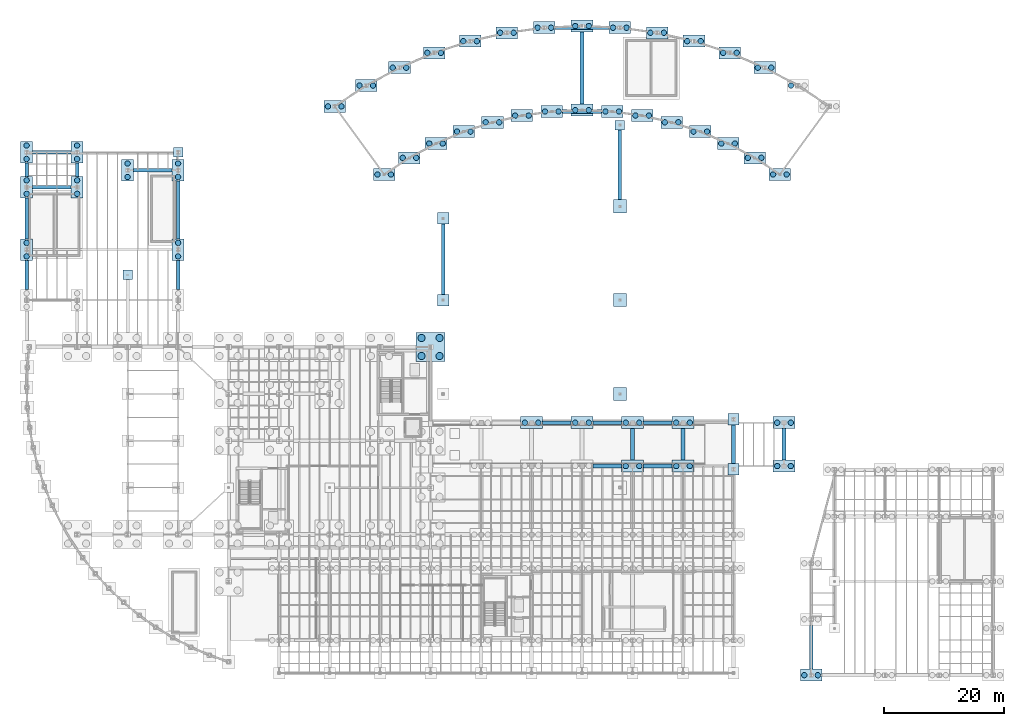
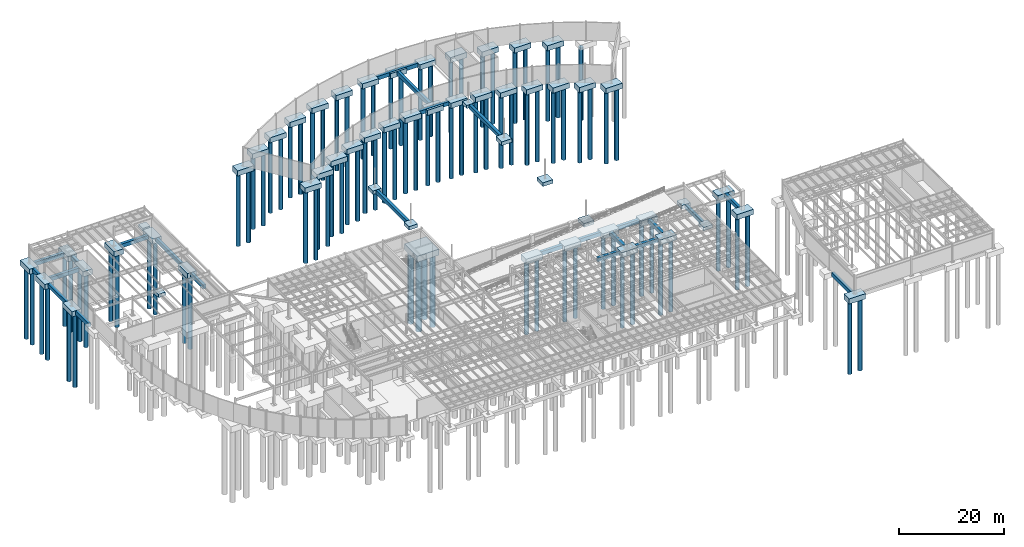
# One storey, part 4 of 41: 95 piles, 80 footings.
"""IFC4 building model written with IfcOpenShell, lengths in metres."""

from ifc_helpers import new_model, si_unit, direction, frame, origin, origin_2d, place, context, subcontext, project, spatial, rectangle, circle, extrude, material, material_profile, profile_set, type_object, element, save


model = new_model("IFC4")

# Units and contexts
model_context = context("Model", 3, precision=1e-05, world=origin(), true_north=direction((0.0, 1.0)))
body_context = subcontext(model_context, "Body", "Model", "MODEL_VIEW")
ifc_project = project(units=[si_unit("LENGTHUNIT", "METRE"), si_unit("AREAUNIT", "SQUARE_METRE"), si_unit("VOLUMEUNIT", "CUBIC_METRE"), si_unit("PLANEANGLEUNIT", "RADIAN"), si_unit("MASSUNIT", "GRAM", prefix="KILO")], contexts=[model_context])

# Site, building, storey
site_placement = place(None, origin())
site = spatial("IfcSite", under=ifc_project, at=site_placement, CompositionType="ELEMENT")
building_placement = place(site_placement, origin())
building = spatial("IfcBuilding", under=site, at=building_placement, Name="Selat Folded Stagehouse", CompositionType="ELEMENT")
storey_placement = place(building_placement, frame((0.0, 0.0, -4.5)))
storey = spatial("IfcBuildingStorey", under=building, at=storey_placement, Name="B1", CompositionType="ELEMENT", Elevation=-4.5)

# Footings
ifc_material = material(Name="Concrete C40/50", Category="concrete")
ifc_material_profile_1 = material_profile(ifc_material, rectangle(XDim=0.60009765625, YDim=0.89990234375, at=origin_2d()), Name="RC 900x600")
ifc_profile_set_1 = profile_set([ifc_material_profile_1], Name="Concrete C40/50")
footing_type_1 = type_object("IfcFootingType", Name="FTG-GB-600x900", PredefinedType="FOOTING_BEAM", material=ifc_profile_set_1)
footing_1_placement = place(storey_placement, frame((94.199951171875, 34.800048828125, -0.449951171875), z_axis=(1.0, 0.0, 0.0), x_axis=(0.0, 1.0, 0.0)))
element("IfcFooting", 1, at=footing_1_placement, inside=storey, type_object=footing_type_1, Name="Ground tie beam GB-X-053", PredefinedType="FOOTING_BEAM", context=body_context, shape_type="SweptSolid", body=[
    extrude(rectangle(XDim=0.60009765625, YDim=0.89990234375, at=origin_2d()), origin(), (0.0, 0.0, 1.0), 4.800048828125),
])
footing_2_placement = place(storey_placement, frame((102.60009765625, 34.800048828125, -0.449951171875), z_axis=(1.0, 0.0, 0.0), x_axis=(0.0, 1.0, 0.0)))
element("IfcFooting", 2, at=footing_2_placement, inside=storey, type_object=footing_type_1, Name="Ground tie beam GB-X-054", PredefinedType="FOOTING_BEAM", context=body_context, shape_type="SweptSolid", body=[
    extrude(rectangle(XDim=0.60009765625, YDim=0.89990234375, at=origin_2d()), origin(), (0.0, 0.0, 1.0), 4.7998046875),
])
for number, where, z_axis, x_axis, name in (
    (3, (85.800048828125, 42.0, -0.449951171875), (1.0, 0.0, 0.0), (0.0, 1.0, 0.0), "Ground tie beam GB-X-059"),
    (4, (94.199951171875, 42.0, -0.449951171875), (1.0, 0.0, 0.0), (0.0, 1.0, 0.0), "Ground tie beam GB-X-060"),
):
    element("IfcFooting", number, at=place(storey_placement, frame(where, z_axis=z_axis, x_axis=x_axis)), inside=storey, type_object=footing_type_1, Name=name, PredefinedType="FOOTING_BEAM", context=body_context, shape_type="SweptSolid", body=[
        extrude(rectangle(XDim=0.60009765625, YDim=0.89990234375, at=origin_2d()), origin(), (0.0, 0.0, 1.0), 4.800048828125),
    ])
footing_3_placement = place(storey_placement, frame((102.60009765625, 42.0, -0.449951171875), z_axis=(1.0, 0.0, 0.0), x_axis=(0.0, 1.0, 0.0)))
element("IfcFooting", 5, at=footing_3_placement, inside=storey, type_object=footing_type_1, Name="Ground tie beam GB-X-061", PredefinedType="FOOTING_BEAM", context=body_context, shape_type="SweptSolid", body=[
    extrude(rectangle(XDim=0.60009765625, YDim=0.89990234375, at=origin_2d()), origin(), (0.0, 0.0, 1.0), 4.7998046875),
])
for number, where, z_axis, x_axis, name in (
    (6, (1.0, 81.199951171875, -0.449951171875), (1.0, 0.0, 0.0), (0.0, 1.0, 0.0), "Ground tie beam GB-X-073"),
    (7, (17.800048828125, 84.0, -0.449951171875), (1.0, 0.0, 0.0), (0.0, 1.0, 0.0), "Ground tie beam GB-X-074"),
    (8, (1.0, 87.0, -0.449951171875), (1.0, 0.0, 0.0), (0.0, 1.0, 0.0), "Ground tie beam GB-X-075"),
):
    element("IfcFooting", number, at=place(storey_placement, frame(where, z_axis=z_axis, x_axis=x_axis)), inside=storey, type_object=footing_type_1, Name=name, PredefinedType="FOOTING_BEAM", context=body_context, shape_type="SweptSolid", body=[
        extrude(rectangle(XDim=0.60009765625, YDim=0.89990234375, at=origin_2d()), origin(), (0.0, 0.0, 1.0), 6.39990234375),
    ])
footing_4_placement = place(storey_placement, frame((89.18017578125, 93.774658203125, -0.449951171875), z_axis=(1.0, 0.0, 0.0), x_axis=(0.0, 1.0, 0.0)))
element("IfcFooting", 9, at=footing_4_placement, inside=storey, type_object=footing_type_1, Name="Ground tie beam GB-X-076", PredefinedType="FOOTING_BEAM", context=body_context, shape_type="SweptSolid", body=[
    extrude(rectangle(XDim=0.60009765625, YDim=0.89990234375, at=origin_2d()), origin(), (0.0, 0.0, 1.0), 6.439697265625),
])
footing_5_placement = place(storey_placement, frame((87.92529296875, 107.71826171875, -0.449951171875), z_axis=(1.0, 0.0, 0.0), x_axis=(0.0, 1.0, 0.0)))
element("IfcFooting", 10, at=footing_5_placement, inside=storey, type_object=footing_type_1, Name="Ground tie beam GB-X-077", PredefinedType="FOOTING_BEAM", context=body_context, shape_type="SweptSolid", body=[
    extrude(rectangle(XDim=0.60009765625, YDim=0.89990234375, at=origin_2d()), origin(), (0.0, 0.0, 1.0), 8.949462890625),
])
footing_6_placement = place(storey_placement, frame((0.0, 64.199951171875, -0.449951171875), z_axis=(0.0, 1.0, 0.0), x_axis=(-1.0, 0.0, 0.0)))
element("IfcFooting", 11, at=footing_6_placement, inside=storey, type_object=footing_type_1, Name="Ground tie beam GB-Y-079", PredefinedType="FOOTING_BEAM", context=body_context, shape_type="SweptSolid", body=[
    extrude(rectangle(XDim=0.60009765625, YDim=0.89990234375, at=origin_2d()), origin(), (0.0, 0.0, 1.0), 4.800048828125),
])
footing_7_placement = place(storey_placement, frame((0.0, 72.60009765625, -0.449951171875), z_axis=(0.0, 1.0, 0.0), x_axis=(-1.0, 0.0, 0.0)))
element("IfcFooting", 12, at=footing_7_placement, inside=storey, type_object=footing_type_1, Name="Ground tie beam GB-Y-080", PredefinedType="FOOTING_BEAM", context=body_context, shape_type="SweptSolid", body=[
    extrude(rectangle(XDim=0.60009765625, YDim=0.89990234375, at=origin_2d()), origin(), (0.0, 0.0, 1.0), 6.7998046875),
])
for number, where, z_axis, x_axis, name in (
    (13, (0.0, 83.0, -0.449951171875), (0.0, 1.0, 0.0), (-1.0, 0.0, 0.0), "Ground tie beam GB-Y-081"),
    (14, (8.39990234375, 83.0, -0.449951171875), (0.0, 1.0, 0.0), (-1.0, 0.0, 0.0), "Ground tie beam GB-Y-083"),
):
    element("IfcFooting", number, at=place(storey_placement, frame(where, z_axis=z_axis, x_axis=x_axis)), inside=storey, type_object=footing_type_1, Name=name, PredefinedType="FOOTING_BEAM", context=body_context, shape_type="SweptSolid", body=[
        extrude(rectangle(XDim=0.60009765625, YDim=0.89990234375, at=origin_2d()), origin(), (0.0, 0.0, 1.0), 2.199951171875),
    ])
footing_8_placement = place(storey_placement, frame((25.199951171875, 64.199951171875, -0.449951171875), z_axis=(0.0, 1.0, 0.0), x_axis=(-1.0, 0.0, 0.0)))
element("IfcFooting", 15, at=footing_8_placement, inside=storey, type_object=footing_type_1, Name="Ground tie beam GB-Y-086", PredefinedType="FOOTING_BEAM", context=body_context, shape_type="SweptSolid", body=[
    extrude(rectangle(XDim=0.60009765625, YDim=0.89990234375, at=origin_2d()), origin(), (0.0, 0.0, 1.0), 4.800048828125),
])
footing_9_placement = place(storey_placement, frame((25.199951171875, 72.60009765625, -0.449951171875), z_axis=(0.0, 1.0, 0.0), x_axis=(-1.0, 0.0, 0.0)))
element("IfcFooting", 16, at=footing_9_placement, inside=storey, type_object=footing_type_1, Name="Ground tie beam GB-Y-087", PredefinedType="FOOTING_BEAM", context=body_context, shape_type="SweptSolid", body=[
    extrude(rectangle(XDim=0.60009765625, YDim=0.89990234375, at=origin_2d()), origin(), (0.0, 0.0, 1.0), 9.599853515625),
])
footing_10_placement = place(storey_placement, frame((69.300048828125, 63.35009765625, -0.449951171875), z_axis=(0.0, 1.0, 0.0), x_axis=(-1.0, 0.0, 0.0)))
element("IfcFooting", 17, at=footing_10_placement, inside=storey, type_object=footing_type_1, Name="Ground tie beam GB-Y-116", PredefinedType="FOOTING_BEAM", context=body_context, shape_type="SweptSolid", body=[
    extrude(rectangle(XDim=0.60009765625, YDim=0.89990234375, at=origin_2d()), origin(), (0.0, 0.0, 1.0), 11.699951171875),
])
footing_11_placement = place(storey_placement, frame((92.39990234375, 95.0, -0.449951171875), z_axis=(0.0, 1.0, 0.0), x_axis=(-1.0, 0.0, 0.0)))
element("IfcFooting", 18, at=footing_11_placement, inside=storey, type_object=footing_type_1, Name="Ground tie beam GB-Y-132", PredefinedType="FOOTING_BEAM", context=body_context, shape_type="SweptSolid", body=[
    extrude(rectangle(XDim=0.60009765625, YDim=0.89990234375, at=origin_2d()), origin(), (0.0, 0.0, 1.0), 12.0),
])
footing_12_placement = place(storey_placement, frame((98.699951171875, 79.10009765625, -0.449951171875), z_axis=(0.0, 1.0, 0.0), x_axis=(-1.0, 0.0, 0.0)))
element("IfcFooting", 19, at=footing_12_placement, inside=storey, type_object=footing_type_1, Name="Ground tie beam GB-Y-133", PredefinedType="FOOTING_BEAM", context=body_context, shape_type="SweptSolid", body=[
    extrude(rectangle(XDim=0.60009765625, YDim=0.89990234375, at=origin_2d()), origin(), (0.0, 0.0, 1.0), 11.599853515625),
])
for number, where, z_axis, x_axis, name in (
    (20, (100.800048828125, 35.800048828125, -0.449951171875), (0.0, 1.0, 0.0), (-1.0, 0.0, 0.0), "Ground tie beam GB-Y-138"),
    (21, (109.199951171875, 35.800048828125, -0.449951171875), (0.0, 1.0, 0.0), (-1.0, 0.0, 0.0), "Ground tie beam GB-Y-143"),
):
    element("IfcFooting", number, at=place(storey_placement, frame(where, z_axis=z_axis, x_axis=x_axis)), inside=storey, type_object=footing_type_1, Name=name, PredefinedType="FOOTING_BEAM", context=body_context, shape_type="SweptSolid", body=[
        extrude(rectangle(XDim=0.60009765625, YDim=0.89990234375, at=origin_2d()), origin(), (0.0, 0.0, 1.0), 5.199951171875),
    ])
footing_13_placement = place(storey_placement, frame((117.60009765625, 35.199951171875, -0.449951171875), z_axis=(0.0, 1.0, 0.0), x_axis=(-1.0, 0.0, 0.0)))
element("IfcFooting", 22, at=footing_13_placement, inside=storey, type_object=footing_type_1, Name="Ground tie beam GB-Y-148", PredefinedType="FOOTING_BEAM", context=body_context, shape_type="SweptSolid", body=[
    extrude(rectangle(XDim=0.60009765625, YDim=0.89990234375, at=origin_2d()), origin(), (0.0, 0.0, 1.0), 6.400146484375),
])
footing_14_placement = place(storey_placement, frame((126.0, 35.800048828125, -0.449951171875), z_axis=(0.0, 1.0, 0.0), x_axis=(-1.0, 0.0, 0.0)))
element("IfcFooting", 23, at=footing_14_placement, inside=storey, type_object=footing_type_1, Name="Ground tie beam GB-Y-149", PredefinedType="FOOTING_BEAM", context=body_context, shape_type="SweptSolid", body=[
    extrude(rectangle(XDim=0.60009765625, YDim=0.89990234375, at=origin_2d()), origin(), (0.0, 0.0, 1.0), 5.199951171875),
])
footing_15_placement = place(storey_placement, frame((130.510498046875, 1.0, -0.449951171875), z_axis=(0.0, 1.0, 0.0), x_axis=(-1.0, 0.0, 0.0)))
element("IfcFooting", 24, at=footing_15_placement, inside=storey, type_object=footing_type_1, Name="Ground tie beam GB-Y-150", PredefinedType="FOOTING_BEAM", context=body_context, shape_type="SweptSolid", body=[
    extrude(rectangle(XDim=0.60009765625, YDim=0.89990234375, at=origin_2d()), origin(), (0.0, 0.0, 1.0), 7.300048828125),
])
footing_type_2 = type_object("IfcFootingType", Name="FTG-PAD-1600x1600x750", PredefinedType="PAD_FOOTING", material=ifc_material)
for number, where, z_axis, x_axis, name in (
    (25, (25.199951171875, 87.0, -0.75), (0.0, 0.0, 1.0), (1.0, 0.0, 0.0), "Foundation STK-V4-13"),
    (26, (98.699951171875, 91.5, -0.75), (0.0, 0.0, 1.0), (1.0, 0.0, 0.0), "Foundation STK-BR2-915"),
    (27, (16.800048828125, 66.60009765625, -0.75), (0.0, 0.0, 1.0), (1.0, 0.0, 0.0), "Pilaster pad 5"),
):
    element("IfcFooting", number, at=place(storey_placement, frame(where, z_axis=z_axis, x_axis=x_axis)), inside=storey, type_object=footing_type_2, Name=name, PredefinedType="PAD_FOOTING", context=body_context, shape_type="SweptSolid", body=[
        extrude(rectangle(XDim=1.60009765625, YDim=1.60009765625, at=origin_2d()), origin(), (0.0, 0.0, 1.0), 0.75),
    ])
footing_type_3 = type_object("IfcFootingType", Name="FTG-PAD-1900x1900x800", PredefinedType="PAD_FOOTING", material=ifc_material)
for number, where, z_axis, x_axis, name in (
    (28, (117.60009765625, 34.25, -0.7998046875), (0.0, 0.0, 1.0), (1.0, 0.0, 0.0), "Foundation STK-RMPJMB-S"),
    (29, (117.60009765625, 42.550048828125, -0.7998046875), (0.0, 0.0, 1.0), (1.0, 0.0, 0.0), "Foundation STK-RMPJMB-N"),
    (30, (69.300048828125, 62.39990234375, -0.7998046875), (0.0, 0.0, 1.0), (1.0, 0.0, 0.0), "Foundation STK-BR1-624"),
    (31, (69.300048828125, 76.0, -0.7998046875), (0.0, 0.0, 1.0), (1.0, 0.0, 0.0), "Foundation STK-BR1-760"),
):
    element("IfcFooting", number, at=place(storey_placement, frame(where, z_axis=z_axis, x_axis=x_axis)), inside=storey, type_object=footing_type_3, Name=name, PredefinedType="PAD_FOOTING", context=body_context, shape_type="SweptSolid", body=[
        extrude(rectangle(XDim=1.89990234375, YDim=1.89990234375, at=origin_2d()), origin(), (0.0, 0.0, 1.0), 0.800048828125),
    ])
footing_type_4 = type_object("IfcFootingType", Name="FTG-PAD-2200x2200x850", PredefinedType="PAD_FOOTING", material=ifc_material)
for number, where, z_axis, x_axis, name in (
    (32, (98.699951171875, 46.800048828125, -0.85009765625), (0.0, 0.0, 1.0), (1.0, 0.0, 0.0), "Foundation STK-BR2-468"),
    (33, (98.699951171875, 62.39990234375, -0.85009765625), (0.0, 0.0, 1.0), (1.0, 0.0, 0.0), "Foundation STK-BR2-624"),
    (34, (98.699951171875, 78.0, -0.85009765625), (0.0, 0.0, 1.0), (1.0, 0.0, 0.0), "Foundation STK-BR2-780"),
):
    element("IfcFooting", number, at=place(storey_placement, frame(where, z_axis=z_axis, x_axis=x_axis)), inside=storey, type_object=footing_type_4, Name=name, PredefinedType="PAD_FOOTING", context=body_context, shape_type="SweptSolid", body=[
        extrude(rectangle(XDim=2.199951171875, YDim=2.199951171875, at=origin_2d()), origin(), (0.0, 0.0, 1.0), 0.85009765625),
    ])
footing_type_5 = type_object("IfcFootingType", Name="FTG-PC-2000x3600x1200", PredefinedType="PILE_CAP", material=ifc_material)
for number, where, z_axis, x_axis, name in (
    (35, (0.0, 70.800048828125, -1.2001953125), (0.0, 0.0, 1.0), (1.0, 0.0, 0.0), "Foundation STK-V4-02"),
    (36, (0.0, 81.199951171875, -1.2001953125), (0.0, 0.0, 1.0), (1.0, 0.0, 0.0), "Foundation STK-V4-03"),
    (37, (0.0, 87.0, -1.2001953125), (0.0, 0.0, 1.0), (1.0, 0.0, 0.0), "Foundation STK-V4-04"),
    (38, (8.39990234375, 81.199951171875, -1.2001953125), (0.0, 0.0, 1.0), (1.0, 0.0, 0.0), "Foundation STK-V4-06"),
    (39, (8.39990234375, 87.0, -1.2001953125), (0.0, 0.0, 1.0), (1.0, 0.0, 0.0), "Foundation STK-V4-07"),
    (40, (16.800048828125, 84.0, -1.2001953125), (0.0, 0.0, 1.0), (1.0, 0.0, 0.0), "Foundation STK-V4-08"),
    (41, (25.199951171875, 70.800048828125, -1.2001953125), (0.0, 0.0, 1.0), (1.0, 0.0, 0.0), "Foundation STK-V4-11"),
    (42, (25.199951171875, 84.0, -1.2001953125), (0.0, 0.0, 1.0), (1.0, 0.0, 0.0), "Foundation STK-V4-12"),
):
    element("IfcFooting", number, at=place(storey_placement, frame(where, z_axis=z_axis, x_axis=x_axis)), inside=storey, type_object=footing_type_5, Name=name, PredefinedType="PILE_CAP", context=body_context, shape_type="SweptSolid", body=[
        extrude(rectangle(XDim=2.0, YDim=3.60009765625, at=origin_2d()), origin(), (0.0, 0.0, 1.0), 1.199951171875),
    ])
footing_type_6 = type_object("IfcFootingType", Name="FTG-PC-3600x2000x1200", PredefinedType="PILE_CAP", material=ifc_material)
for number, where, z_axis, x_axis, name in (
    (43, (84.0, 42.0, -1.2001953125), (0.0, 0.0, 1.0), (1.0, 0.0, 0.0), "Foundation STK-B1CP-84-420"),
    (44, (92.39990234375, 42.0, -1.2001953125), (0.0, 0.0, 1.0), (1.0, 0.0, 0.0), "Foundation STK-B1CP-92-420"),
    (45, (100.800048828125, 34.800048828125, -1.2001953125), (0.0, 0.0, 1.0), (1.0, 0.0, 0.0), "Foundation STK-B1CP-100-348"),
    (46, (100.800048828125, 42.0, -1.2001953125), (0.0, 0.0, 1.0), (1.0, 0.0, 0.0), "Foundation STK-B1CP-100-420"),
    (47, (109.199951171875, 34.800048828125, -1.2001953125), (0.0, 0.0, 1.0), (1.0, 0.0, 0.0), "Foundation STK-B1CP-109-348"),
    (48, (109.199951171875, 42.0, -1.2001953125), (0.0, 0.0, 1.0), (1.0, 0.0, 0.0), "Foundation STK-B1CP-109-420"),
    (49, (126.0, 34.800048828125, -1.2001953125), (0.0, 0.0, 1.0), (1.0, 0.0, 0.0), "Foundation STK-B1CP-126-348"),
    (50, (126.0, 42.0, -1.2001953125), (0.0, 0.0, 1.0), (1.0, 0.0, 0.0), "Foundation STK-B1CP-126-420"),
    (51, (130.510498046875, 0.0, -1.2001953125), (0.0, 0.0, 1.0), (1.0, 0.0, 0.0), "Foundation STK-V3-00"),
    (52, (59.48388671875, 83.304931640625, -1.2001953125), (0.0, 0.0, 1.0), (1.0, 0.0, 0.0), "Foundation STK-V6IN-00"),
    (53, (51.2548828125, 94.631103515625, -1.2001953125), (0.0, 0.0, 1.0), (1.0, 0.0, 0.0), "Foundation STK-V6OUT-00"),
    (54, (63.677490234375, 86.072998046875, -1.2001953125), (0.0, 0.0, 1.0), (1.0, 0.0, 0.0), "Foundation STK-V6IN-01"),
    (55, (56.4970703125, 98.09130859375, -1.2001953125), (0.0, 0.0, 1.0), (1.0, 0.0, 0.0), "Foundation STK-V6OUT-01"),
    (56, (68.1025390625, 88.454345703125, -1.2001953125), (0.0, 0.0, 1.0), (1.0, 0.0, 0.0), "Foundation STK-V6IN-02"),
    (57, (62.028076171875, 101.06787109375, -1.2001953125), (0.0, 0.0, 1.0), (1.0, 0.0, 0.0), "Foundation STK-V6OUT-02"),
    (58, (72.722900390625, 90.42919921875, -1.2001953125), (0.0, 0.0, 1.0), (1.0, 0.0, 0.0), "Foundation STK-V6IN-03"),
    (59, (67.8037109375, 103.536376953125, -1.2001953125), (0.0, 0.0, 1.0), (1.0, 0.0, 0.0), "Foundation STK-V6OUT-03"),
    (60, (77.501953125, 91.98193359375, -1.2001953125), (0.0, 0.0, 1.0), (1.0, 0.0, 0.0), "Foundation STK-V6IN-04"),
    (61, (73.77734375, 105.477294921875, -1.2001953125), (0.0, 0.0, 1.0), (1.0, 0.0, 0.0), "Foundation STK-V6OUT-04"),
    (62, (82.40087890625, 93.10009765625, -1.2001953125), (0.0, 0.0, 1.0), (1.0, 0.0, 0.0), "Foundation STK-V6IN-05"),
    (63, (79.90087890625, 106.875, -1.2001953125), (0.0, 0.0, 1.0), (1.0, 0.0, 0.0), "Foundation STK-V6OUT-05"),
    (64, (87.380126953125, 93.774658203125, -1.2001953125), (0.0, 0.0, 1.0), (1.0, 0.0, 0.0), "Foundation STK-V6IN-06"),
    (65, (86.125244140625, 107.71826171875, -1.2001953125), (0.0, 0.0, 1.0), (1.0, 0.0, 0.0), "Foundation STK-V6OUT-06"),
    (66, (92.39990234375, 94.0, -1.2001953125), (0.0, 0.0, 1.0), (1.0, 0.0, 0.0), "Foundation STK-V6IN-07"),
    (67, (92.39990234375, 108.0, -1.2001953125), (0.0, 0.0, 1.0), (1.0, 0.0, 0.0), "Foundation STK-V6OUT-07"),
    (68, (97.419921875, 93.774658203125, -1.2001953125), (0.0, 0.0, 1.0), (1.0, 0.0, 0.0), "Foundation STK-V6IN-08"),
    (69, (98.6748046875, 107.71826171875, -1.2001953125), (0.0, 0.0, 1.0), (1.0, 0.0, 0.0), "Foundation STK-V6OUT-08"),
    (70, (102.399169921875, 93.10009765625, -1.2001953125), (0.0, 0.0, 1.0), (1.0, 0.0, 0.0), "Foundation STK-V6IN-09"),
    (71, (104.89892578125, 106.875, -1.2001953125), (0.0, 0.0, 1.0), (1.0, 0.0, 0.0), "Foundation STK-V6OUT-09"),
    (72, (107.298095703125, 91.98193359375, -1.2001953125), (0.0, 0.0, 1.0), (1.0, 0.0, 0.0), "Foundation STK-V6IN-10"),
    (73, (111.022705078125, 105.477294921875, -1.2001953125), (0.0, 0.0, 1.0), (1.0, 0.0, 0.0), "Foundation STK-V6OUT-10"),
    (74, (112.076904296875, 90.42919921875, -1.2001953125), (0.0, 0.0, 1.0), (1.0, 0.0, 0.0), "Foundation STK-V6IN-11"),
    (75, (116.99609375, 103.536376953125, -1.2001953125), (0.0, 0.0, 1.0), (1.0, 0.0, 0.0), "Foundation STK-V6OUT-11"),
    (76, (116.697509765625, 88.454345703125, -1.2001953125), (0.0, 0.0, 1.0), (1.0, 0.0, 0.0), "Foundation STK-V6IN-12"),
    (77, (122.77197265625, 101.06787109375, -1.2001953125), (0.0, 0.0, 1.0), (1.0, 0.0, 0.0), "Foundation STK-V6OUT-12"),
    (78, (121.122314453125, 86.072998046875, -1.2001953125), (0.0, 0.0, 1.0), (1.0, 0.0, 0.0), "Foundation STK-V6IN-13"),
    (79, (125.31591796875, 83.304931640625, -1.2001953125), (0.0, 0.0, 1.0), (1.0, 0.0, 0.0), "Foundation STK-V6IN-14"),
):
    element("IfcFooting", number, at=place(storey_placement, frame(where, z_axis=z_axis, x_axis=x_axis)), inside=storey, type_object=footing_type_6, Name=name, PredefinedType="PILE_CAP", context=body_context, shape_type="SweptSolid", body=[
        extrude(rectangle(XDim=3.60009765625, YDim=2.0, at=origin_2d()), origin(), (0.0, 0.0, 1.0), 1.199951171875),
    ])
footing_type_7 = type_object("IfcFootingType", Name="FTG-PC-4800x4800x1400", PredefinedType="PILE_CAP", material=ifc_material)
footing_16_placement = place(storey_placement, frame((67.199951171875, 54.60009765625, -1.39990234375), z_axis=(0.0, 0.0, 1.0), x_axis=(1.0, 0.0, 0.0)))
element("IfcFooting", 80, at=footing_16_placement, inside=storey, type_object=footing_type_7, Name="Foundation STK-V2-24", PredefinedType="PILE_CAP", context=body_context, shape_type="SweptSolid", body=[
    extrude(rectangle(XDim=4.800048828125, YDim=4.800048828125, at=origin_2d()), origin(), (0.0, 0.0, 1.0), 1.39990234375),
])

# Piles
ifc_material_profile_2 = material_profile(ifc_material, circle(Radius=0.60009765625, at=origin_2d()), Name="PILE D1200")
ifc_profile_set_2 = profile_set([ifc_material_profile_2], Name="Concrete C40/50")
pile_type_1 = type_object("IfcPileType", Name="PILE-BORED-1200-B1", PredefinedType="BORED", material=ifc_profile_set_2)
for number, where, z_axis, x_axis, name in (
    (81, (65.699951171875, 53.10009765625, -1.300048828125), (0.0, 0.0, -1.0), (1.0, 0.0, 0.0), "Bored pile PIL-STK-V2-24-1"),
    (82, (68.699951171875, 53.10009765625, -1.300048828125), (0.0, 0.0, -1.0), (1.0, 0.0, 0.0), "Bored pile PIL-STK-V2-24-2"),
    (83, (68.699951171875, 56.10009765625, -1.300048828125), (0.0, 0.0, -1.0), (1.0, 0.0, 0.0), "Bored pile PIL-STK-V2-24-3"),
    (84, (65.699951171875, 56.10009765625, -1.300048828125), (0.0, 0.0, -1.0), (1.0, 0.0, 0.0), "Bored pile PIL-STK-V2-24-4"),
):
    element("IfcPile", number, at=place(storey_placement, frame(where, z_axis=z_axis, x_axis=x_axis)), inside=storey, type_object=pile_type_1, Name=name, PredefinedType="BORED", context=body_context, shape_type="SweptSolid", body=[
        extrude(circle(Radius=0.60009765625, at=origin_2d()), origin(), (0.0, 0.0, 1.0), 16.699951171875),
    ])
ifc_material_profile_3 = material_profile(ifc_material, circle(Radius=0.449951171875, at=origin_2d()), Name="PILE D900")
ifc_profile_set_3 = profile_set([ifc_material_profile_3], Name="Concrete C40/50")
pile_type_2 = type_object("IfcPileType", Name="PILE-BORED-900-B1", PredefinedType="BORED", material=ifc_profile_set_3)
for number, where, z_axis, x_axis, name in (
    (85, (82.875, 42.0, -1.10009765625), (0.0, 0.0, -1.0), (1.0, 0.0, 0.0), "Bored pile PIL-STK-B1CP-84-420-1"),
    (86, (85.125, 42.0, -1.10009765625), (0.0, 0.0, -1.0), (1.0, 0.0, 0.0), "Bored pile PIL-STK-B1CP-84-420-2"),
    (87, (91.27490234375, 42.0, -1.10009765625), (0.0, 0.0, -1.0), (1.0, 0.0, 0.0), "Bored pile PIL-STK-B1CP-92-420-1"),
    (88, (93.52490234375, 42.0, -1.10009765625), (0.0, 0.0, -1.0), (1.0, 0.0, 0.0), "Bored pile PIL-STK-B1CP-92-420-2"),
    (89, (99.675048828125, 34.800048828125, -1.10009765625), (0.0, 0.0, -1.0), (1.0, 0.0, 0.0), "Bored pile PIL-STK-B1CP-100-348-1"),
    (90, (101.925048828125, 34.800048828125, -1.10009765625), (0.0, 0.0, -1.0), (1.0, 0.0, 0.0), "Bored pile PIL-STK-B1CP-100-348-2"),
    (91, (99.675048828125, 42.0, -1.10009765625), (0.0, 0.0, -1.0), (1.0, 0.0, 0.0), "Bored pile PIL-STK-B1CP-100-420-1"),
    (92, (101.925048828125, 42.0, -1.10009765625), (0.0, 0.0, -1.0), (1.0, 0.0, 0.0), "Bored pile PIL-STK-B1CP-100-420-2"),
    (93, (108.074951171875, 34.800048828125, -1.10009765625), (0.0, 0.0, -1.0), (1.0, 0.0, 0.0), "Bored pile PIL-STK-B1CP-109-348-1"),
    (94, (110.324951171875, 34.800048828125, -1.10009765625), (0.0, 0.0, -1.0), (1.0, 0.0, 0.0), "Bored pile PIL-STK-B1CP-109-348-2"),
    (95, (108.074951171875, 42.0, -1.10009765625), (0.0, 0.0, -1.0), (1.0, 0.0, 0.0), "Bored pile PIL-STK-B1CP-109-420-1"),
    (96, (110.324951171875, 42.0, -1.10009765625), (0.0, 0.0, -1.0), (1.0, 0.0, 0.0), "Bored pile PIL-STK-B1CP-109-420-2"),
    (97, (124.875, 34.800048828125, -1.10009765625), (0.0, 0.0, -1.0), (1.0, 0.0, 0.0), "Bored pile PIL-STK-B1CP-126-348-1"),
    (98, (127.125, 34.800048828125, -1.10009765625), (0.0, 0.0, -1.0), (1.0, 0.0, 0.0), "Bored pile PIL-STK-B1CP-126-348-2"),
    (99, (124.875, 42.0, -1.10009765625), (0.0, 0.0, -1.0), (1.0, 0.0, 0.0), "Bored pile PIL-STK-B1CP-126-420-1"),
    (100, (127.125, 42.0, -1.10009765625), (0.0, 0.0, -1.0), (1.0, 0.0, 0.0), "Bored pile PIL-STK-B1CP-126-420-2"),
    (101, (129.385498046875, 0.0, -1.10009765625), (0.0, 0.0, -1.0), (1.0, 0.0, 0.0), "Bored pile PIL-STK-V3-00-1"),
    (102, (131.635498046875, 0.0, -1.10009765625), (0.0, 0.0, -1.0), (1.0, 0.0, 0.0), "Bored pile PIL-STK-V3-00-2"),
    (103, (0.0, 69.675048828125, -1.10009765625), (0.0, 0.0, -1.0), (1.0, 0.0, 0.0), "Bored pile PIL-STK-V4-02-1"),
    (104, (0.0, 71.925048828125, -1.10009765625), (0.0, 0.0, -1.0), (1.0, 0.0, 0.0), "Bored pile PIL-STK-V4-02-2"),
    (105, (0.0, 80.074951171875, -1.10009765625), (0.0, 0.0, -1.0), (1.0, 0.0, 0.0), "Bored pile PIL-STK-V4-03-1"),
    (106, (0.0, 82.324951171875, -1.10009765625), (0.0, 0.0, -1.0), (1.0, 0.0, 0.0), "Bored pile PIL-STK-V4-03-2"),
    (107, (0.0, 85.875, -1.10009765625), (0.0, 0.0, -1.0), (1.0, 0.0, 0.0), "Bored pile PIL-STK-V4-04-1"),
    (108, (0.0, 88.125, -1.10009765625), (0.0, 0.0, -1.0), (1.0, 0.0, 0.0), "Bored pile PIL-STK-V4-04-2"),
    (109, (8.39990234375, 80.074951171875, -1.10009765625), (0.0, 0.0, -1.0), (1.0, 0.0, 0.0), "Bored pile PIL-STK-V4-06-1"),
    (110, (8.39990234375, 82.324951171875, -1.10009765625), (0.0, 0.0, -1.0), (1.0, 0.0, 0.0), "Bored pile PIL-STK-V4-06-2"),
    (111, (8.39990234375, 85.875, -1.10009765625), (0.0, 0.0, -1.0), (1.0, 0.0, 0.0), "Bored pile PIL-STK-V4-07-1"),
    (112, (8.39990234375, 88.125, -1.10009765625), (0.0, 0.0, -1.0), (1.0, 0.0, 0.0), "Bored pile PIL-STK-V4-07-2"),
    (113, (16.800048828125, 82.875, -1.10009765625), (0.0, 0.0, -1.0), (1.0, 0.0, 0.0), "Bored pile PIL-STK-V4-08-1"),
    (114, (16.800048828125, 85.125, -1.10009765625), (0.0, 0.0, -1.0), (1.0, 0.0, 0.0), "Bored pile PIL-STK-V4-08-2"),
    (115, (25.199951171875, 69.675048828125, -1.10009765625), (0.0, 0.0, -1.0), (1.0, 0.0, 0.0), "Bored pile PIL-STK-V4-11-1"),
    (116, (25.199951171875, 71.925048828125, -1.10009765625), (0.0, 0.0, -1.0), (1.0, 0.0, 0.0), "Bored pile PIL-STK-V4-11-2"),
    (117, (25.199951171875, 82.875, -1.10009765625), (0.0, 0.0, -1.0), (1.0, 0.0, 0.0), "Bored pile PIL-STK-V4-12-1"),
    (118, (25.199951171875, 85.125, -1.10009765625), (0.0, 0.0, -1.0), (1.0, 0.0, 0.0), "Bored pile PIL-STK-V4-12-2"),
    (119, (58.35888671875, 83.304931640625, -1.10009765625), (0.0, 0.0, -1.0), (1.0, 0.0, 0.0), "Bored pile PIL-STK-V6IN-00-1"),
    (120, (60.60888671875, 83.304931640625, -1.10009765625), (0.0, 0.0, -1.0), (1.0, 0.0, 0.0), "Bored pile PIL-STK-V6IN-00-2"),
    (121, (50.1298828125, 94.631103515625, -1.10009765625), (0.0, 0.0, -1.0), (1.0, 0.0, 0.0), "Bored pile PIL-STK-V6OUT-00-1"),
    (122, (52.3798828125, 94.631103515625, -1.10009765625), (0.0, 0.0, -1.0), (1.0, 0.0, 0.0), "Bored pile PIL-STK-V6OUT-00-2"),
    (123, (62.552490234375, 86.072998046875, -1.10009765625), (0.0, 0.0, -1.0), (1.0, 0.0, 0.0), "Bored pile PIL-STK-V6IN-01-1"),
    (124, (64.802490234375, 86.072998046875, -1.10009765625), (0.0, 0.0, -1.0), (1.0, 0.0, 0.0), "Bored pile PIL-STK-V6IN-01-2"),
    (125, (55.3720703125, 98.09130859375, -1.10009765625), (0.0, 0.0, -1.0), (1.0, 0.0, 0.0), "Bored pile PIL-STK-V6OUT-01-1"),
    (126, (57.6220703125, 98.09130859375, -1.10009765625), (0.0, 0.0, -1.0), (1.0, 0.0, 0.0), "Bored pile PIL-STK-V6OUT-01-2"),
    (127, (66.9775390625, 88.454345703125, -1.10009765625), (0.0, 0.0, -1.0), (1.0, 0.0, 0.0), "Bored pile PIL-STK-V6IN-02-1"),
    (128, (69.2275390625, 88.454345703125, -1.10009765625), (0.0, 0.0, -1.0), (1.0, 0.0, 0.0), "Bored pile PIL-STK-V6IN-02-2"),
    (129, (60.903076171875, 101.06787109375, -1.10009765625), (0.0, 0.0, -1.0), (1.0, 0.0, 0.0), "Bored pile PIL-STK-V6OUT-02-1"),
    (130, (63.153076171875, 101.06787109375, -1.10009765625), (0.0, 0.0, -1.0), (1.0, 0.0, 0.0), "Bored pile PIL-STK-V6OUT-02-2"),
    (131, (71.597900390625, 90.42919921875, -1.10009765625), (0.0, 0.0, -1.0), (1.0, 0.0, 0.0), "Bored pile PIL-STK-V6IN-03-1"),
    (132, (73.847900390625, 90.42919921875, -1.10009765625), (0.0, 0.0, -1.0), (1.0, 0.0, 0.0), "Bored pile PIL-STK-V6IN-03-2"),
    (133, (66.6787109375, 103.536376953125, -1.10009765625), (0.0, 0.0, -1.0), (1.0, 0.0, 0.0), "Bored pile PIL-STK-V6OUT-03-1"),
    (134, (68.9287109375, 103.536376953125, -1.10009765625), (0.0, 0.0, -1.0), (1.0, 0.0, 0.0), "Bored pile PIL-STK-V6OUT-03-2"),
    (135, (76.376953125, 91.98193359375, -1.10009765625), (0.0, 0.0, -1.0), (1.0, 0.0, 0.0), "Bored pile PIL-STK-V6IN-04-1"),
    (136, (78.626953125, 91.98193359375, -1.10009765625), (0.0, 0.0, -1.0), (1.0, 0.0, 0.0), "Bored pile PIL-STK-V6IN-04-2"),
    (137, (72.65234375, 105.477294921875, -1.10009765625), (0.0, 0.0, -1.0), (1.0, 0.0, 0.0), "Bored pile PIL-STK-V6OUT-04-1"),
    (138, (74.90234375, 105.477294921875, -1.10009765625), (0.0, 0.0, -1.0), (1.0, 0.0, 0.0), "Bored pile PIL-STK-V6OUT-04-2"),
    (139, (81.27587890625, 93.10009765625, -1.10009765625), (0.0, 0.0, -1.0), (1.0, 0.0, 0.0), "Bored pile PIL-STK-V6IN-05-1"),
    (140, (83.52587890625, 93.10009765625, -1.10009765625), (0.0, 0.0, -1.0), (1.0, 0.0, 0.0), "Bored pile PIL-STK-V6IN-05-2"),
    (141, (78.77587890625, 106.875, -1.10009765625), (0.0, 0.0, -1.0), (1.0, 0.0, 0.0), "Bored pile PIL-STK-V6OUT-05-1"),
    (142, (81.02587890625, 106.875, -1.10009765625), (0.0, 0.0, -1.0), (1.0, 0.0, 0.0), "Bored pile PIL-STK-V6OUT-05-2"),
    (143, (86.255126953125, 93.774658203125, -1.10009765625), (0.0, 0.0, -1.0), (1.0, 0.0, 0.0), "Bored pile PIL-STK-V6IN-06-1"),
    (144, (88.505126953125, 93.774658203125, -1.10009765625), (0.0, 0.0, -1.0), (1.0, 0.0, 0.0), "Bored pile PIL-STK-V6IN-06-2"),
    (145, (85.000244140625, 107.71826171875, -1.10009765625), (0.0, 0.0, -1.0), (1.0, 0.0, 0.0), "Bored pile PIL-STK-V6OUT-06-1"),
    (146, (87.250244140625, 107.71826171875, -1.10009765625), (0.0, 0.0, -1.0), (1.0, 0.0, 0.0), "Bored pile PIL-STK-V6OUT-06-2"),
    (147, (91.27490234375, 94.0, -1.10009765625), (0.0, 0.0, -1.0), (1.0, 0.0, 0.0), "Bored pile PIL-STK-V6IN-07-1"),
    (148, (93.52490234375, 94.0, -1.10009765625), (0.0, 0.0, -1.0), (1.0, 0.0, 0.0), "Bored pile PIL-STK-V6IN-07-2"),
    (149, (91.27490234375, 108.0, -1.10009765625), (0.0, 0.0, -1.0), (1.0, 0.0, 0.0), "Bored pile PIL-STK-V6OUT-07-1"),
    (150, (93.52490234375, 108.0, -1.10009765625), (0.0, 0.0, -1.0), (1.0, 0.0, 0.0), "Bored pile PIL-STK-V6OUT-07-2"),
    (151, (96.294921875, 93.774658203125, -1.10009765625), (0.0, 0.0, -1.0), (1.0, 0.0, 0.0), "Bored pile PIL-STK-V6IN-08-1"),
    (152, (98.544921875, 93.774658203125, -1.10009765625), (0.0, 0.0, -1.0), (1.0, 0.0, 0.0), "Bored pile PIL-STK-V6IN-08-2"),
    (153, (97.5498046875, 107.71826171875, -1.10009765625), (0.0, 0.0, -1.0), (1.0, 0.0, 0.0), "Bored pile PIL-STK-V6OUT-08-1"),
    (154, (99.7998046875, 107.71826171875, -1.10009765625), (0.0, 0.0, -1.0), (1.0, 0.0, 0.0), "Bored pile PIL-STK-V6OUT-08-2"),
    (155, (101.274169921875, 93.10009765625, -1.10009765625), (0.0, 0.0, -1.0), (1.0, 0.0, 0.0), "Bored pile PIL-STK-V6IN-09-1"),
    (156, (103.524169921875, 93.10009765625, -1.10009765625), (0.0, 0.0, -1.0), (1.0, 0.0, 0.0), "Bored pile PIL-STK-V6IN-09-2"),
    (157, (103.77392578125, 106.875, -1.10009765625), (0.0, 0.0, -1.0), (1.0, 0.0, 0.0), "Bored pile PIL-STK-V6OUT-09-1"),
    (158, (106.02392578125, 106.875, -1.10009765625), (0.0, 0.0, -1.0), (1.0, 0.0, 0.0), "Bored pile PIL-STK-V6OUT-09-2"),
    (159, (106.173095703125, 91.98193359375, -1.10009765625), (0.0, 0.0, -1.0), (1.0, 0.0, 0.0), "Bored pile PIL-STK-V6IN-10-1"),
    (160, (108.423095703125, 91.98193359375, -1.10009765625), (0.0, 0.0, -1.0), (1.0, 0.0, 0.0), "Bored pile PIL-STK-V6IN-10-2"),
    (161, (109.897705078125, 105.477294921875, -1.10009765625), (0.0, 0.0, -1.0), (1.0, 0.0, 0.0), "Bored pile PIL-STK-V6OUT-10-1"),
    (162, (112.147705078125, 105.477294921875, -1.10009765625), (0.0, 0.0, -1.0), (1.0, 0.0, 0.0), "Bored pile PIL-STK-V6OUT-10-2"),
    (163, (110.951904296875, 90.42919921875, -1.10009765625), (0.0, 0.0, -1.0), (1.0, 0.0, 0.0), "Bored pile PIL-STK-V6IN-11-1"),
    (164, (113.201904296875, 90.42919921875, -1.10009765625), (0.0, 0.0, -1.0), (1.0, 0.0, 0.0), "Bored pile PIL-STK-V6IN-11-2"),
    (165, (115.87109375, 103.536376953125, -1.10009765625), (0.0, 0.0, -1.0), (1.0, 0.0, 0.0), "Bored pile PIL-STK-V6OUT-11-1"),
    (166, (118.12109375, 103.536376953125, -1.10009765625), (0.0, 0.0, -1.0), (1.0, 0.0, 0.0), "Bored pile PIL-STK-V6OUT-11-2"),
    (167, (115.572509765625, 88.454345703125, -1.10009765625), (0.0, 0.0, -1.0), (1.0, 0.0, 0.0), "Bored pile PIL-STK-V6IN-12-1"),
    (168, (117.822509765625, 88.454345703125, -1.10009765625), (0.0, 0.0, -1.0), (1.0, 0.0, 0.0), "Bored pile PIL-STK-V6IN-12-2"),
    (169, (121.64697265625, 101.06787109375, -1.10009765625), (0.0, 0.0, -1.0), (1.0, 0.0, 0.0), "Bored pile PIL-STK-V6OUT-12-1"),
    (170, (123.89697265625, 101.06787109375, -1.10009765625), (0.0, 0.0, -1.0), (1.0, 0.0, 0.0), "Bored pile PIL-STK-V6OUT-12-2"),
    (171, (119.997314453125, 86.072998046875, -1.10009765625), (0.0, 0.0, -1.0), (1.0, 0.0, 0.0), "Bored pile PIL-STK-V6IN-13-1"),
    (172, (122.247314453125, 86.072998046875, -1.10009765625), (0.0, 0.0, -1.0), (1.0, 0.0, 0.0), "Bored pile PIL-STK-V6IN-13-2"),
    (173, (127.177978515625, 98.09130859375, -1.10009765625), (0.0, 0.0, -1.0), (1.0, 0.0, 0.0), "Bored pile PIL-STK-V6OUT-13-1"),
    (174, (124.19091796875, 83.304931640625, -1.10009765625), (0.0, 0.0, -1.0), (1.0, 0.0, 0.0), "Bored pile PIL-STK-V6IN-14-1"),
    (175, (126.44091796875, 83.304931640625, -1.10009765625), (0.0, 0.0, -1.0), (1.0, 0.0, 0.0), "Bored pile PIL-STK-V6IN-14-2"),
):
    element("IfcPile", number, at=place(storey_placement, frame(where, z_axis=z_axis, x_axis=x_axis)), inside=storey, type_object=pile_type_2, Name=name, PredefinedType="BORED", context=body_context, shape_type="SweptSolid", body=[
        extrude(circle(Radius=0.449951171875, at=origin_2d()), origin(), (0.0, 0.0, 1.0), 16.89990234375),
    ])

save(model, "model.ifc")
